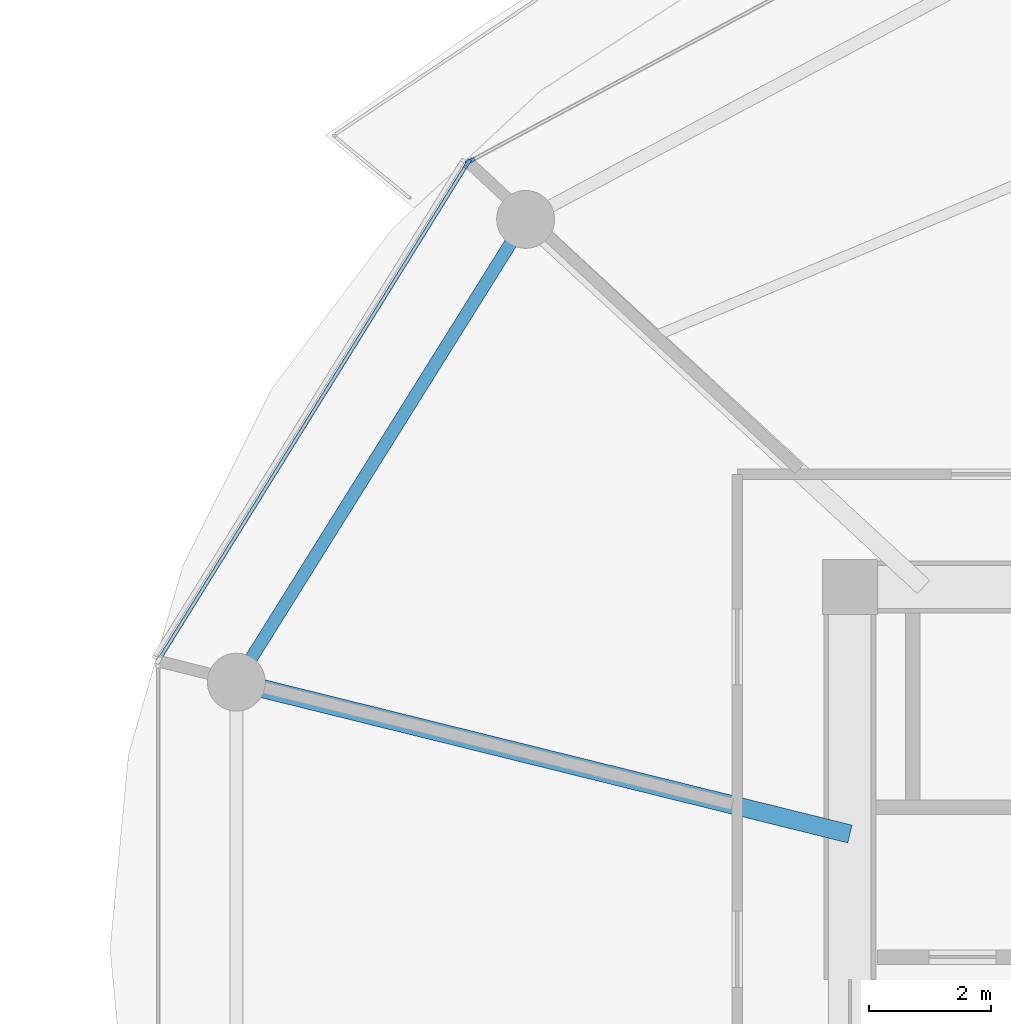
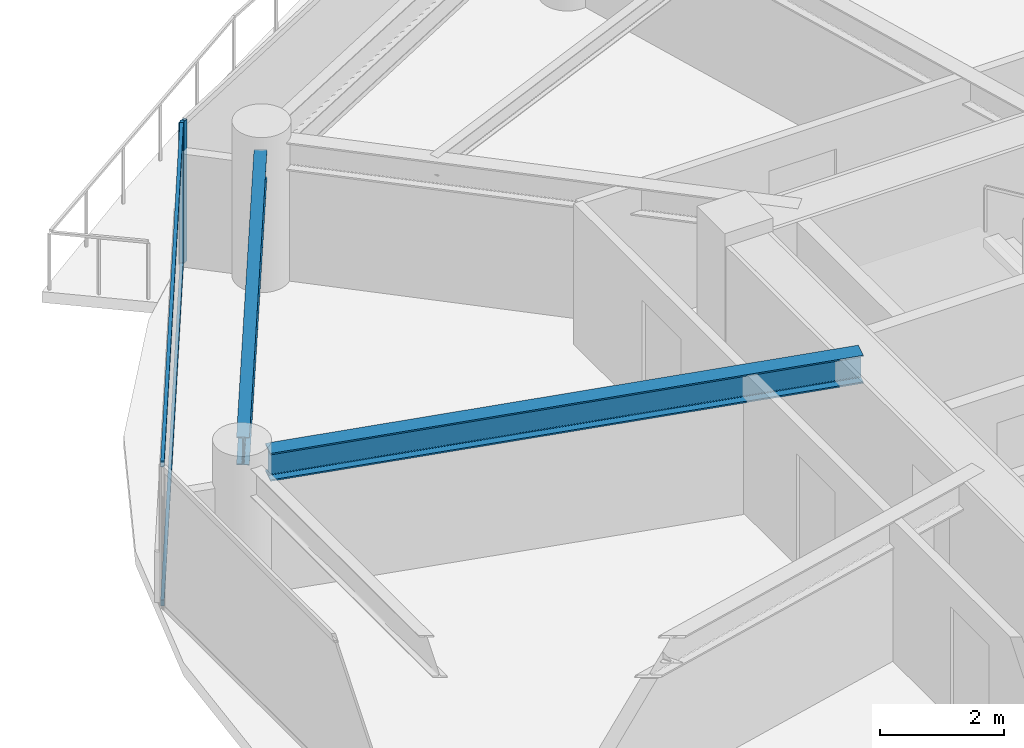
# One storey, part 8 of 26: 4 members, 2 beams, 2 elements without a shape of their own.
"""IFC4 building model written with IfcOpenShell, lengths in metres."""

from ifc_helpers import new_model, si_unit, direction, frame, origin, origin_2d, place, context, subcontext, project, spatial, rectangle, i_section, extrude, source, transform, mapped, material, layer, layer_set, material_profile, profile_set, type_object, type_shapes, element, aggregate, save


model = new_model("IFC4")

# Units and contexts
model_context = context("Model", 3, precision=1e-05, world=origin(), true_north=direction((0.0, 1.0)))
body_context = subcontext(model_context, "Body", "Model", "MODEL_VIEW")
ifc_project = project(units=[si_unit("LENGTHUNIT", "METRE"), si_unit("AREAUNIT", "SQUARE_METRE"), si_unit("VOLUMEUNIT", "CUBIC_METRE"), si_unit("PLANEANGLEUNIT", "RADIAN"), si_unit("MASSUNIT", "GRAM", prefix="KILO")], contexts=[model_context])

# Site, building, storey
site_placement = place(None, origin())
site = spatial("IfcSite", under=ifc_project, at=site_placement, CompositionType="ELEMENT")
building_placement = place(site_placement, origin())
building = spatial("IfcBuilding", under=site, at=building_placement, Name="Norrkilde Senior Care Towers", CompositionType="ELEMENT")
storey_placement = place(building_placement, frame((0.0, 0.0, 55.14990234375)))
storey = spatial("IfcBuildingStorey", under=building, at=storey_placement, Name="L16", CompositionType="ELEMENT", Elevation=55.14990234375)

# Beams
ifc_material_1 = material(Name="Steel S355", Category="steel")
ifc_material_profile_1 = material_profile(ifc_material_1, i_section(OverallWidth=0.2099609375, OverallDepth=0.550048828125, WebThickness=0.010986328125, FlangeThickness=0.01708984375, FilletRadius=0.02392578125, at=origin_2d()), Name="IPE 550")
ifc_profile_set_1 = profile_set([ifc_material_profile_1], Name="Steel S355")
beam_type_1 = type_object("IfcBeamType", Name="Perimeter Ring Spandrel Z1 IPE550", PredefinedType="SPANDREL", material=ifc_profile_set_1)
shared_shape_1 = source(origin(), body_context, "Body", "SweptSolid", [
    extrude(i_section(OverallWidth=0.2099609375, OverallDepth=0.550048828125, WebThickness=0.010986328125, FlangeThickness=0.01708984375, FilletRadius=0.02392578125, at=origin_2d()), origin(), (0.0, 0.0, 1.0), 8.090576171875),
])
type_shapes(beam_type_1, [shared_shape_1])
beam_1_placement = place(storey_placement, frame((14.7939453125, 11.61669921875, 2.51513671875), z_axis=(-0.530004364821, -0.84799491347, 0.0), x_axis=(0.84799491347, -0.530004364821, 0.0)))
element("IfcBeam", 1, at=beam_1_placement, inside=storey, type_object=beam_type_1, Name="L16 Drum E Perimeter Spandrel 05", PredefinedType="SPANDREL", context=body_context, shape_type="MappedRepresentation", body=[
    mapped(shared_shape_1, transform((0.0, 0.0, 0.0), x_axis=(1.0, 0.0, 0.0), y_axis=(0.0, 1.0, 0.0), z_axis=(0.0, 0.0, 1.0), scale=1.0)),
])
ifc_material_profile_2 = material_profile(ifc_material_1, i_section(OverallWidth=0.300048828125, OverallDepth=0.550048828125, WebThickness=0.014892578125, FlangeThickness=0.029052734375, FilletRadius=0.027099609375, at=origin_2d()), Name="HEB 550")
ifc_profile_set_2 = profile_set([ifc_material_profile_2], Name="Steel S355")
beam_type_2 = type_object("IfcBeamType", Name="Radial Floor Beam Z1 HEB550", PredefinedType="BEAM", material=ifc_profile_set_2)
shared_shape_2 = source(origin(), body_context, "Body", "SweptSolid", [
    extrude(i_section(OverallWidth=0.300048828125, OverallDepth=0.550048828125, WebThickness=0.014892578125, FlangeThickness=0.029052734375, FilletRadius=0.027099609375, at=origin_2d()), origin(), (0.0, 0.0, 1.0), 9.94384765625),
])
type_shapes(beam_type_2, [shared_shape_2])
beam_2_placement = place(storey_placement, frame((20.35009765625, 1.893310546875, 2.51513671875), z_axis=(-0.970707425182, 0.240264634718, 0.0), x_axis=(-0.240264634718, -0.970707425182, 0.0)))
element("IfcBeam", 2, at=beam_2_placement, inside=storey, type_object=beam_type_2, Name="L16 Drum E Radial Floor Beam 06", PredefinedType="BEAM", context=body_context, shape_type="MappedRepresentation", body=[
    mapped(shared_shape_2, transform((0.0, 0.0, 0.0), x_axis=(1.0, 0.0, 0.0), y_axis=(0.0, 1.0, 0.0), z_axis=(0.0, 0.0, 1.0), scale=1.0)),
])

# Curtain wall, member
ifc_material_2 = material(Name="Triple Low-E Insulated Glazing", Category="glass")
ifc_layer = layer(ifc_material_2, 0.199951171875)
ifc_layer_set = layer_set([ifc_layer], Name="Triple Low-E Insulated Glazing")
curtain_wall_type = type_object("IfcCurtainWallType", Name="CW2 Zone 1 Memory Care Curtain Wall", PredefinedType="NOTDEFINED", material=ifc_layer_set)
curtain_wall_1_placement = place(storey_placement, origin())
curtain_wall_1 = element("IfcCurtainWall", 3, at=curtain_wall_1_placement, inside=storey, type_object=curtain_wall_type, Name="L16 Drum E Curtain Wall 03", PredefinedType="NOTDEFINED")
ifc_material_3 = material(Name="Anodised Aluminium", Category="aluminium")
ifc_material_profile_3 = material_profile(ifc_material_3, rectangle(XDim=0.06494140625, YDim=0.159912109375, at=origin_2d()), Name="ALU MULL 65x160")
ifc_profile_set_3 = profile_set([ifc_material_profile_3], Name="Anodised Aluminium")
member_type_1 = type_object("IfcMemberType", Name="Curtain Wall Mullion Z1-Z2 65x160", PredefinedType="MULLION", material=ifc_profile_set_3)
shared_shape_3 = source(origin(), body_context, "Body", "SweptSolid", [
    extrude(rectangle(XDim=0.06494140625, YDim=0.159912109375, at=origin_2d()), origin(), (0.0, 0.0, 1.0), 2.7900390625),
])
type_shapes(member_type_1, [shared_shape_3])
member_1_placement = place(storey_placement, frame((14.11279296875, 12.941162109375, 0.0), z_axis=(0.0, 0.0, 1.0), x_axis=(-0.472607802456, 0.881272866403, 0.0)))
member_1 = element("IfcMember", 4, at=member_1_placement, type_object=member_type_1, Name="CW-2 mullion 1", PredefinedType="MULLION", context=body_context, shape_type="MappedRepresentation", body=[
    mapped(shared_shape_3, transform((0.0, 0.0, 0.0), x_axis=(1.0, 0.0, 0.0), y_axis=(0.0, 1.0, 0.0), z_axis=(0.0, 0.0, 1.0), scale=1.0)),
])
aggregate(curtain_wall_1, [member_1])

# Curtain wall, members
curtain_wall_2_placement = place(storey_placement, origin())
curtain_wall_2 = element("IfcCurtainWall", 5, at=curtain_wall_2_placement, inside=storey, type_object=curtain_wall_type, Name="L16 Drum E Curtain Wall 04", PredefinedType="NOTDEFINED")
member_2_placement = place(storey_placement, frame((14.06689453125, 12.898193359375, 0.0), z_axis=(0.0, 0.0, 1.0), x_axis=(-0.849305943117, 0.527900951871, 0.0)))
member_2 = element("IfcMember", 6, at=member_2_placement, type_object=member_type_1, Name="CW-2 mullion 2", PredefinedType="MULLION", context=body_context, shape_type="MappedRepresentation", body=[
    mapped(shared_shape_3, transform((0.0, 0.0, 0.0), x_axis=(1.0, 0.0, 0.0), y_axis=(0.0, 1.0, 0.0), z_axis=(0.0, 0.0, 1.0), scale=1.0)),
])
ifc_material_profile_4 = material_profile(ifc_material_3, rectangle(XDim=0.06005859375, YDim=0.1201171875, at=origin_2d()), Name="ALU TRAN 60x120")
ifc_profile_set_4 = profile_set([ifc_material_profile_4], Name="Anodised Aluminium")
member_type_2 = type_object("IfcMemberType", Name="Curtain Wall Transom Typical 60x120", PredefinedType="USERDEFINED", material=ifc_profile_set_4)
shared_shape_4 = source(origin(), body_context, "Body", "SweptSolid", [
    extrude(rectangle(XDim=0.06005859375, YDim=0.1201171875, at=origin_2d()), origin(), (0.0, 0.0, 1.0), 9.5185546875),
])
type_shapes(member_type_2, [shared_shape_4])
member_3_placement = place(storey_placement, frame((9.02490234375, 4.786376953125, 0.030029296875), z_axis=(0.527901620669, 0.849305527413, 0.0), x_axis=(-0.849305527413, 0.527901620669, 0.0)))
member_3 = element("IfcMember", 7, at=member_3_placement, type_object=member_type_2, Name="CW-2 transom 1.1", ObjectType="TRANSOM", PredefinedType="USERDEFINED", context=body_context, shape_type="MappedRepresentation", body=[
    mapped(shared_shape_4, transform((0.0, 0.0, 0.0), x_axis=(1.0, 0.0, 0.0), y_axis=(0.0, 1.0, 0.0), z_axis=(0.0, 0.0, 1.0), scale=1.0)),
])
member_4_placement = place(storey_placement, frame((9.02490234375, 4.786376953125, 2.760009765625), z_axis=(0.527901620669, 0.849305527413, 0.0), x_axis=(-0.849305527413, 0.527901620669, 0.0)))
member_4 = element("IfcMember", 8, at=member_4_placement, type_object=member_type_2, Name="CW-2 transom 1.2", ObjectType="TRANSOM", PredefinedType="USERDEFINED", context=body_context, shape_type="MappedRepresentation", body=[
    mapped(shared_shape_4, transform((0.0, 0.0, 0.0), x_axis=(1.0, 0.0, 0.0), y_axis=(0.0, 1.0, 0.0), z_axis=(0.0, 0.0, 1.0), scale=1.0)),
])
aggregate(curtain_wall_2, [member_2, member_3, member_4])

save(model, "model.ifc")
